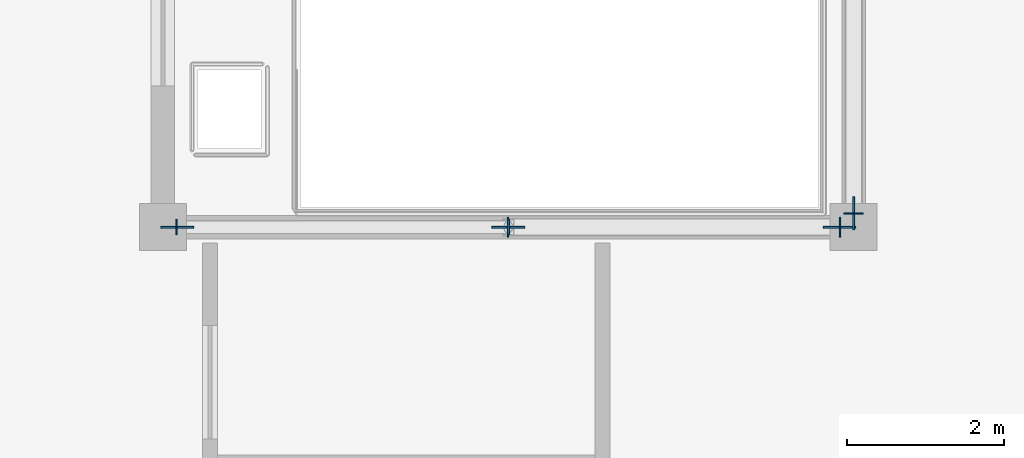
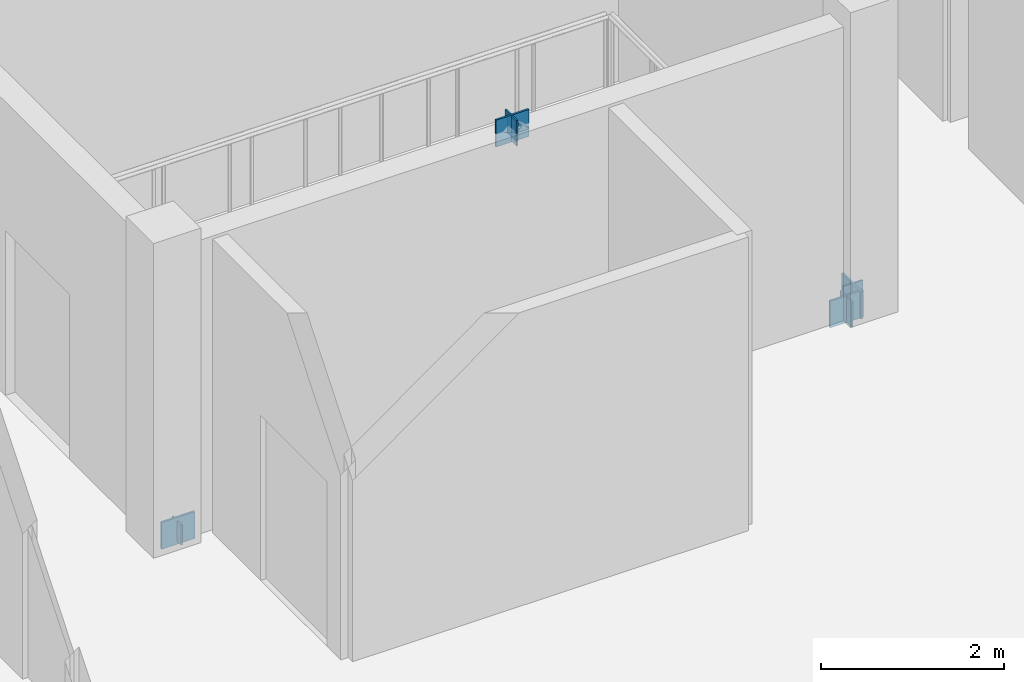
# One storey, part 2 of 10: 9 plates.
"""IFC4 building model written with IfcOpenShell, lengths in metres."""

from ifc_helpers import new_model, si_unit, direction, frame, origin, origin_2d, place, context, subcontext, project, spatial, rectangle, extrude, material, layer, layer_set, type_object, element, save


model = new_model("IFC4")

# Units and contexts
model_context = context("Model", 3, precision=1e-05, world=origin(), true_north=direction((0.0, 1.0)))
body_context = subcontext(model_context, "Body", "Model", "MODEL_VIEW")
ifc_project = project(units=[si_unit("LENGTHUNIT", "METRE"), si_unit("AREAUNIT", "SQUARE_METRE"), si_unit("VOLUMEUNIT", "CUBIC_METRE"), si_unit("PLANEANGLEUNIT", "RADIAN"), si_unit("MASSUNIT", "GRAM", prefix="KILO")], contexts=[model_context])

# Site, building, storey
site_placement = place(None, origin())
site = spatial("IfcSite", under=ifc_project, at=site_placement, CompositionType="ELEMENT")
building_placement = place(site_placement, origin())
building = spatial("IfcBuilding", under=site, at=building_placement, Name="Zhaolan Boulevard Law Courts", CompositionType="ELEMENT")
storey_placement = place(building_placement, frame((0.0, 0.0, 41.39990234375)))
storey = spatial("IfcBuildingStorey", under=building, at=storey_placement, Name="L09", CompositionType="ELEMENT", Elevation=41.39990234375)

# Plates
ifc_material_1 = material(Name="Structural steel Q355B", Category="steel")
ifc_layer_1 = layer(ifc_material_1, 0.02392578125)
ifc_layer_set_1 = layer_set([ifc_layer_1])
plate_type_1 = type_object("IfcPlateType", Name="BRACE GUSSET PLATE 24", PredefinedType="SHEET", material=ifc_layer_set_1)
for number, where, z_axis, x_axis, name in (
    (1, (17.780029296875, 46.0, -0.14990234375), (0.0, 0.0, 1.0), (1.0, 0.0, 0.0), "Brace Gusset Connection Plate GP-W1-L09-SA1"),
    (2, (26.219970703125, 46.0, -0.14990234375), (0.0, 0.0, 1.0), (1.0, 0.0, 0.0), "Brace Gusset Connection Plate GP-W1-L09-SA2"),
    (3, (22.0, 46.0, 3.740234375), (0.0, 0.0, 1.0), (1.0, 0.0, 0.0), "Brace Gusset Connection Plate GP-W1-L09-SAPX"),
    (4, (26.39990234375, 46.179931640625, -0.14990234375), (0.0, 0.0, 1.0), (0.0, 1.0, 0.0), "Brace Gusset Connection Plate GP-W1-L09-EA1"),
):
    element("IfcPlate", number, at=place(storey_placement, frame(where, z_axis=z_axis, x_axis=x_axis)), inside=storey, type_object=plate_type_1, Name=name, PredefinedType="SHEET", context=body_context, shape_type="SweptSolid", body=[
        extrude(rectangle(XDim=0.419921875, YDim=0.02392578125, at=origin_2d()), origin(), (0.0, 0.0, 1.0), 0.360107421875),
    ])
ifc_material_2 = material(Name="Structural steel Q355B", Category="steel")
ifc_layer_2 = layer(ifc_material_2, 0.02001953125)
ifc_layer_set_2 = layer_set([ifc_layer_2])
plate_type_2 = type_object("IfcPlateType", Name="END CAP PLATE 20", PredefinedType="SHEET", material=ifc_layer_set_2)
for number, where, z_axis, x_axis, name in (
    (5, (17.774169921875, 46.0, -0.10986328125), (0.0, 0.0, 1.0), (1.0, 0.0, 0.0), "Hollow Section End-Cap Plate ECP-1127"),
    (6, (22.005859375, 46.0, 3.791015625), (0.0, 0.0, 1.0), (1.0, 0.0, 0.0), "Hollow Section End-Cap Plate ECP-1128"),
):
    element("IfcPlate", number, at=place(storey_placement, frame(where, z_axis=z_axis, x_axis=x_axis)), inside=storey, type_object=plate_type_2, Name=name, PredefinedType="SHEET", context=body_context, shape_type="SweptSolid", body=[
        extrude(rectangle(XDim=0.02001953125, YDim=0.197998046875, at=origin_2d()), origin(), (0.0, 0.0, 1.0), 0.26904296875),
    ])
for number, where, z_axis, x_axis, name in (
    (7, (26.225830078125, 46.0, -0.1455078125), (0.0, 0.0, 1.0), (-1.0, 0.0, 0.0), "Hollow Section End-Cap Plate ECP-1129"),
    (8, (21.994140625, 46.0, 3.75537109375), (0.0, 0.0, 1.0), (-1.0, 0.0, 0.0), "Hollow Section End-Cap Plate ECP-1130"),
):
    element("IfcPlate", number, at=place(storey_placement, frame(where, z_axis=z_axis, x_axis=x_axis)), inside=storey, type_object=plate_type_2, Name=name, PredefinedType="SHEET", context=body_context, shape_type="SweptSolid", body=[
        extrude(rectangle(XDim=0.02001953125, YDim=0.25, at=origin_2d()), origin(), (0.0, 0.0, 1.0), 0.340087890625),
    ])
plate_placement = place(storey_placement, frame((26.39990234375, 46.17431640625, -0.154052734375), z_axis=(0.0, 0.0, 1.0), x_axis=(0.0, 1.0, 0.0)))
element("IfcPlate", 9, at=plate_placement, inside=storey, type_object=plate_type_2, Name="Hollow Section End-Cap Plate ECP-1131", PredefinedType="SHEET", context=body_context, shape_type="SweptSolid", body=[
    extrude(rectangle(XDim=0.02001953125, YDim=0.25, at=origin_2d()), origin(), (0.0, 0.0, 1.0), 0.35693359375),
])

save(model, "model.ifc")
